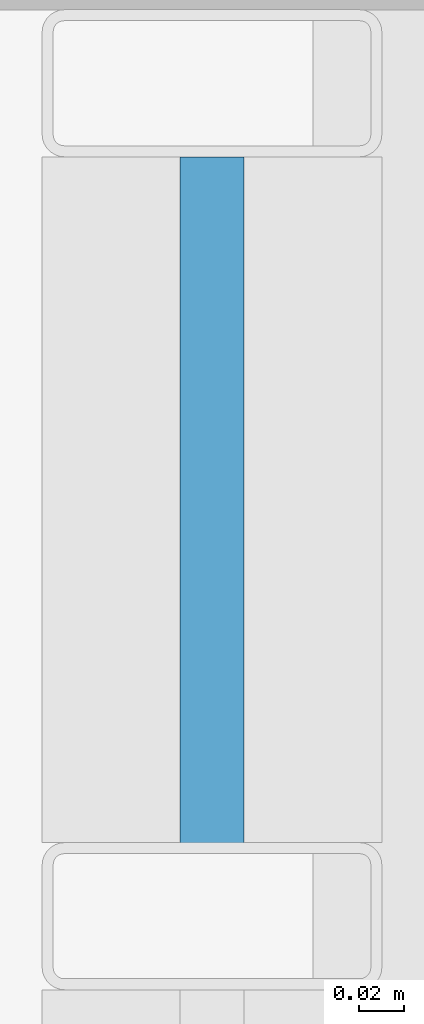
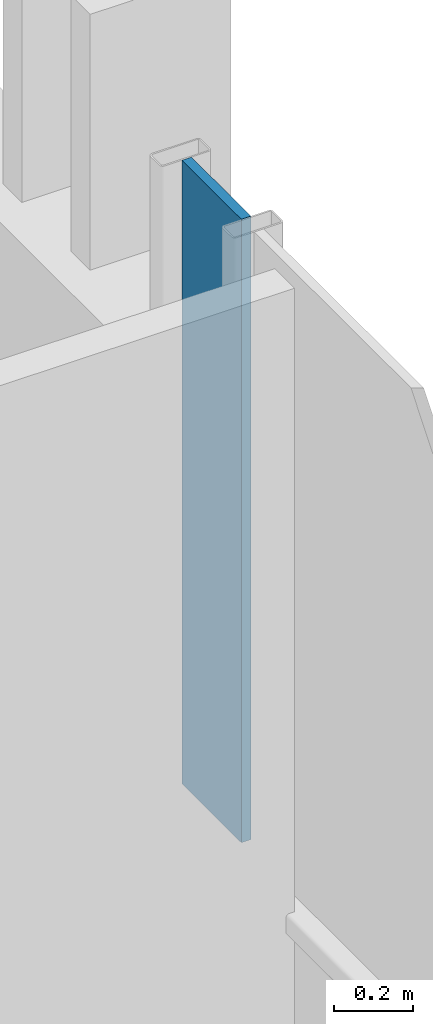
# One storey, part 28 of 40: 1 plate, 1 element without a shape of its own.
"""IFC4 building model written with IfcOpenShell, lengths in metres."""

from ifc_helpers import new_model, si_unit, direction, frame, origin, origin_2d, place, context, subcontext, project, spatial, rectangle, extrude, material, layer, layer_set, type_object, element, aggregate, save


model = new_model("IFC4")

# Units and contexts
model_context = context("Model", 3, precision=1e-05, world=origin(), true_north=direction((0.0, 1.0)))
body_context = subcontext(model_context, "Body", "Model", "MODEL_VIEW")
ifc_project = project(units=[si_unit("LENGTHUNIT", "METRE"), si_unit("AREAUNIT", "SQUARE_METRE"), si_unit("VOLUMEUNIT", "CUBIC_METRE"), si_unit("PLANEANGLEUNIT", "RADIAN"), si_unit("MASSUNIT", "GRAM", prefix="KILO")], contexts=[model_context])

# Site, building, storey
site_placement = place(None, origin())
site = spatial("IfcSite", under=ifc_project, at=site_placement, CompositionType="ELEMENT")
building_placement = place(site_placement, origin())
building = spatial("IfcBuilding", under=site, at=building_placement, Name="Brevholm Reach", CompositionType="ELEMENT")
storey_placement = place(building_placement, frame((0.0, 0.0, 37.300048828125)))
storey = spatial("IfcBuildingStorey", under=building, at=storey_placement, Name="L09", CompositionType="ELEMENT", Elevation=37.300048828125)

# Curtain wall, plate
ifc_material_1 = material(Name="Dark Anodised Aluminium 6063-T6 and Solar-Control Glass", Category="aluminium")
ifc_layer_1 = layer(ifc_material_1, 0.14990234375)
ifc_layer_set_1 = layer_set([ifc_layer_1], Name="Dark Anodised Aluminium 6063-T6 and Solar-Control Glass")
curtain_wall_type = type_object("IfcCurtainWallType", Name="CW-01", PredefinedType="NOTDEFINED", material=ifc_layer_set_1)
curtain_wall_placement = place(storey_placement, origin())
curtain_wall = element("IfcCurtainWall", 1, at=curtain_wall_placement, inside=storey, type_object=curtain_wall_type, Name="L09 Curtain Wall CW-01", PredefinedType="NOTDEFINED")
ifc_material_2 = material(Name="Dark Solar-Control Double-Glazed IGU Glass", Category="glass")
ifc_layer_2 = layer(ifc_material_2, 0.028076171875)
ifc_layer_set_2 = layer_set([ifc_layer_2], Name="Dark Solar-Control Double-Glazed IGU Glass")
plate_type = type_object("IfcPlateType", Name="CWP-GLZ-28", PredefinedType="CURTAIN_PANEL", material=ifc_layer_set_2)
plate_placement = place(storey_placement, frame((59.85009765625, 22.733642578125, 0.932373046875), z_axis=(0.0, 0.0, 1.0), x_axis=(0.0, 1.0, 0.0)))
plate = element("IfcPlate", 2, at=plate_placement, type_object=plate_type, Name="CP-01 Glazing Panel 5.2", PredefinedType="CURTAIN_PANEL", context=body_context, shape_type="SweptSolid", body=[
    extrude(rectangle(XDim=0.302490234375, YDim=0.028076171875, at=origin_2d()), origin(), (0.0, 0.0, 1.0), 1.9375),
])
aggregate(curtain_wall, [plate])

save(model, "model.ifc")
